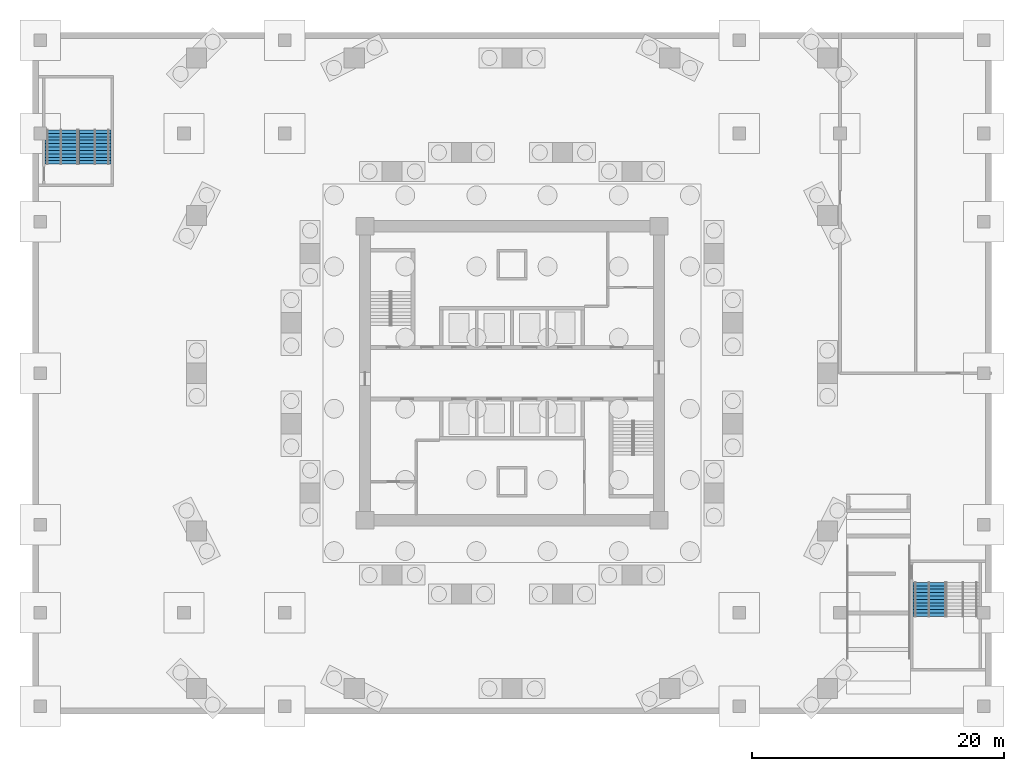
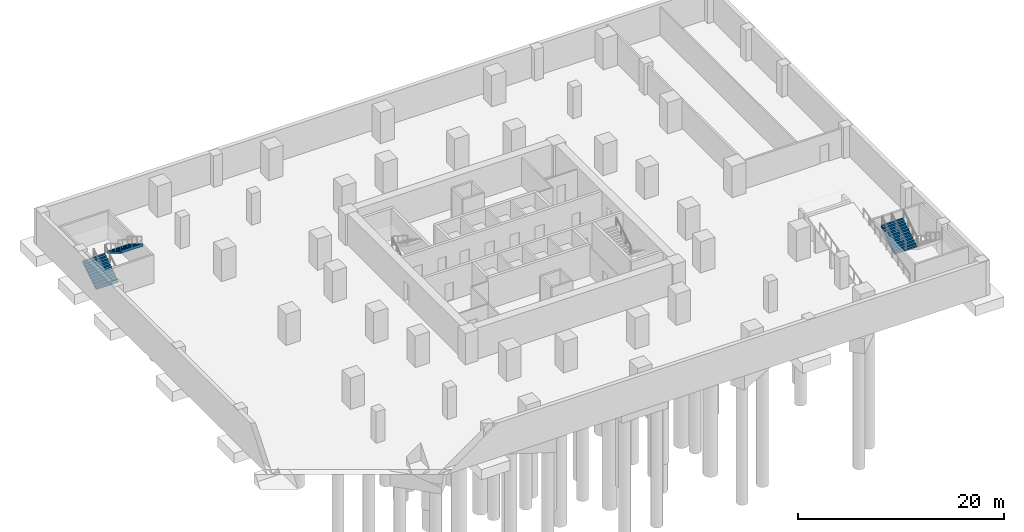
# One storey, part 8 of 11: 3 stair flights, 2 elements without a shape of their own.
"""IFC4 building model written with IfcOpenShell, lengths in metres."""

from ifc_helpers import new_model, si_unit, direction, frame, origin, place, context, subcontext, project, spatial, faceted_brep, material, type_object, element, aggregate, save


model = new_model("IFC4")

# Units and contexts
model_context = context("Model", 3, precision=1e-05, world=origin(), true_north=direction((0.0, 1.0)))
body_context = subcontext(model_context, "Body", "Model", "MODEL_VIEW")
ifc_project = project(units=[si_unit("LENGTHUNIT", "METRE"), si_unit("AREAUNIT", "SQUARE_METRE"), si_unit("VOLUMEUNIT", "CUBIC_METRE"), si_unit("PLANEANGLEUNIT", "RADIAN"), si_unit("MASSUNIT", "GRAM", prefix="KILO")], contexts=[model_context])

# Site, building, storey
site_placement = place(None, origin())
site = spatial("IfcSite", under=ifc_project, at=site_placement, CompositionType="ELEMENT")
building_placement = place(site_placement, origin())
building = spatial("IfcBuilding", under=site, at=building_placement, Name="Torsade Residences", CompositionType="ELEMENT")
storey_placement = place(building_placement, frame((0.0, 0.0, -7.39990234375)))
storey = spatial("IfcBuildingStorey", under=building, at=storey_placement, Name="B2", CompositionType="ELEMENT", Elevation=-7.39990234375)

# Stair, stair flights
ifc_material_1 = material(Name="Concrete 40 MPa", Category="concrete")
stair_type = type_object("IfcStairType", Name="HALF-TURN PODIUM STAIR 2500x3700", PredefinedType="HALF_TURN_STAIR", material=ifc_material_1)
stair_1_placement = place(storey_placement, origin())
stair_1 = element("IfcStair", 1, at=stair_1_placement, inside=storey, type_object=stair_type, Name="Stair ST3 B2", PredefinedType="HALF_TURN_STAIR")
ifc_material_2 = material(Name="Concrete 40 MPa", Category="concrete")
stair_flight_type = type_object("IfcStairFlightType", Name="PODIUM STAIR FLIGHT 2500x1850", PredefinedType="STRAIGHT", material=ifc_material_2)
stair_flight_1_placement = place(storey_placement, frame((4.25, 46.580078125, 0.0), z_axis=(0.0, 0.0, 1.0), x_axis=(0.0, 1.0, 0.0)))
stair_flight_1 = element("IfcStairFlight", 2, at=stair_flight_1_placement, type_object=stair_flight_type, Name="ST3 flight 1", NumberOfRisers=11, NumberOfTreads=10, PredefinedType="STRAIGHT", RiserHeight=0.168181818, TreadLength=0.27, context=body_context, shape_type="Brep", body=[
    faceted_brep([(0.0, 1.25, 0.0), (0.0, 1.25, 0.168212890625), (0.27001953125, 1.25, 0.168212890625), (0.27001953125, 1.25, 0.33642578125), (0.5400390625, 1.25, 0.33642578125), (0.5400390625, 1.25, 0.504638671875), (0.81005859375, 1.25, 0.504638671875), (0.81005859375, 1.25, 0.672607421875), (1.080078125, 1.25, 0.672607421875), (1.080078125, 1.25, 0.8408203125), (1.35009765625, 1.25, 0.8408203125), (1.35009765625, 1.25, 1.009033203125), (1.6201171875, 1.25, 1.009033203125), (1.6201171875, 1.25, 1.17724609375), (1.889892578125, 1.25, 1.17724609375), (1.889892578125, 1.25, 1.345458984375), (2.159912109375, 1.25, 1.345458984375), (2.159912109375, 1.25, 1.513671875), (2.429931640625, 1.25, 1.513671875), (2.429931640625, 1.25, 1.681884765625), (2.699951171875, 1.25, 1.681884765625), (2.699951171875, 1.25, 1.85009765625), (2.7099609375, 1.25, 1.85009765625), (2.7099609375, 1.25, 1.505126953125), (2.699951171875, 1.25, 1.505126953125), (0.283447265625, 1.25, 0.0), (0.283447265625, -1.25, 0.0), (2.699951171875, -1.25, 1.505126953125), (2.7099609375, -1.25, 1.505126953125), (2.7099609375, -1.25, 1.85009765625), (2.699951171875, -1.25, 1.85009765625), (2.699951171875, -1.25, 1.681884765625), (2.429931640625, -1.25, 1.681884765625), (2.429931640625, -1.25, 1.513671875), (2.159912109375, -1.25, 1.513671875), (2.159912109375, -1.25, 1.345458984375), (1.889892578125, -1.25, 1.345458984375), (1.889892578125, -1.25, 1.17724609375), (1.6201171875, -1.25, 1.17724609375), (1.6201171875, -1.25, 1.009033203125), (1.35009765625, -1.25, 1.009033203125), (1.35009765625, -1.25, 0.8408203125), (1.080078125, -1.25, 0.8408203125), (1.080078125, -1.25, 0.672607421875), (0.81005859375, -1.25, 0.672607421875), (0.81005859375, -1.25, 0.504638671875), (0.5400390625, -1.25, 0.504638671875), (0.5400390625, -1.25, 0.33642578125), (0.27001953125, -1.25, 0.33642578125), (0.27001953125, -1.25, 0.168212890625), (0.0, -1.25, 0.168212890625), (0.0, -1.25, 0.0), (0.0, 0.75, 0.0), (0.0, 0.75, 0.168212890625), (0.0, 0.25, 0.0), (0.0, 0.25, 0.168212890625), (0.0, -0.25, 0.0), (0.0, -0.25, 0.168212890625), (0.0, -0.75, 0.0), (0.0, -0.75, 0.168212890625), (0.27001953125, 0.75, 0.168212890625), (0.27001953125, 0.25, 0.168212890625), (0.27001953125, -0.25, 0.168212890625), (0.27001953125, -0.75, 0.168212890625), (0.27001953125, 0.75, 0.33642578125), (0.27001953125, 0.25, 0.33642578125), (0.27001953125, -0.25, 0.33642578125), (0.27001953125, -0.75, 0.33642578125), (0.5400390625, 0.75, 0.33642578125), (0.5400390625, 0.25, 0.33642578125), (0.5400390625, -0.25, 0.33642578125), (0.5400390625, -0.75, 0.33642578125), (0.5400390625, 0.75, 0.504638671875), (0.5400390625, 0.25, 0.504638671875), (0.5400390625, -0.25, 0.504638671875), (0.5400390625, -0.75, 0.504638671875), (0.81005859375, 0.75, 0.504638671875), (0.81005859375, 0.25, 0.504638671875), (0.81005859375, -0.25, 0.504638671875), (0.81005859375, -0.75, 0.504638671875), (0.81005859375, 0.75, 0.672607421875), (0.81005859375, 0.25, 0.672607421875), (0.81005859375, -0.25, 0.672607421875), (0.81005859375, -0.75, 0.672607421875), (1.080078125, 0.75, 0.672607421875), (1.080078125, 0.25, 0.672607421875), (1.080078125, -0.25, 0.672607421875), (1.080078125, -0.75, 0.672607421875), (1.080078125, 0.75, 0.8408203125), (1.080078125, 0.25, 0.8408203125), (1.080078125, -0.25, 0.8408203125), (1.080078125, -0.75, 0.8408203125), (1.35009765625, 0.75, 0.8408203125), (1.35009765625, 0.25, 0.8408203125), (1.35009765625, -0.25, 0.8408203125), (1.35009765625, -0.75, 0.8408203125), (1.35009765625, 0.75, 1.009033203125), (1.35009765625, 0.25, 1.009033203125), (1.35009765625, -0.25, 1.009033203125), (1.35009765625, -0.75, 1.009033203125), (1.6201171875, 0.75, 1.009033203125), (1.6201171875, 0.25, 1.009033203125), (1.6201171875, -0.25, 1.009033203125), (1.6201171875, -0.75, 1.009033203125), (1.6201171875, 0.75, 1.17724609375), (1.6201171875, 0.25, 1.17724609375), (1.6201171875, -0.25, 1.17724609375), (1.6201171875, -0.75, 1.17724609375), (1.889892578125, 0.75, 1.17724609375), (1.889892578125, 0.25, 1.17724609375), (1.889892578125, -0.25, 1.17724609375), (1.889892578125, -0.75, 1.17724609375), (1.889892578125, 0.75, 1.345458984375), (1.889892578125, 0.25, 1.345458984375), (1.889892578125, -0.25, 1.345458984375), (1.889892578125, -0.75, 1.345458984375), (2.159912109375, 0.75, 1.345458984375), (2.159912109375, 0.25, 1.345458984375), (2.159912109375, -0.25, 1.345458984375), (2.159912109375, -0.75, 1.345458984375), (2.159912109375, 0.75, 1.513671875), (2.159912109375, 0.25, 1.513671875), (2.159912109375, -0.25, 1.513671875), (2.159912109375, -0.75, 1.513671875), (2.429931640625, 0.75, 1.513671875), (2.429931640625, 0.25, 1.513671875), (2.429931640625, -0.25, 1.513671875), (2.429931640625, -0.75, 1.513671875), (2.429931640625, 0.75, 1.681884765625), (2.429931640625, 0.25, 1.681884765625), (2.429931640625, -0.25, 1.681884765625), (2.429931640625, -0.75, 1.681884765625), (2.699951171875, 0.75, 1.681884765625), (2.699951171875, 0.25, 1.681884765625), (2.699951171875, -0.25, 1.681884765625), (2.699951171875, -0.75, 1.681884765625), (2.699951171875, 0.75, 1.85009765625), (2.699951171875, 0.25, 1.85009765625), (2.699951171875, -0.25, 1.85009765625), (2.699951171875, -0.75, 1.85009765625), (2.7099609375, 0.75, 1.85009765625), (2.7099609375, 0.25, 1.85009765625), (2.7099609375, -0.25, 1.85009765625), (2.7099609375, -0.75, 1.85009765625), (2.7099609375, 0.75, 1.505126953125), (2.7099609375, 0.25, 1.505126953125), (2.7099609375, -0.25, 1.505126953125), (2.7099609375, -0.75, 1.505126953125), (2.699951171875, 0.75, 1.505126953125), (2.699951171875, 0.25, 1.505126953125), (2.699951171875, -0.25, 1.505126953125), (2.699951171875, -0.75, 1.505126953125), (0.283447265625, 0.75, 0.0), (0.283447265625, 0.25, 0.0), (0.283447265625, -0.25, 0.0), (0.283447265625, -0.75, 0.0)], [[[0, 1, 2, 3, 4, 5, 6, 7, 8, 9, 10, 11, 12, 13, 14, 15, 16, 17, 18, 19, 20, 21, 22, 23, 24, 25]], [[26, 27, 28, 29, 30, 31, 32, 33, 34, 35, 36, 37, 38, 39, 40, 41, 42, 43, 44, 45, 46, 47, 48, 49, 50, 51]], [[52, 53, 1, 0]], [[54, 55, 53, 52]], [[56, 57, 55, 54]], [[58, 59, 57, 56]], [[51, 50, 59, 58]], [[53, 60, 2, 1]], [[55, 61, 60, 53]], [[57, 62, 61, 55]], [[59, 63, 62, 57]], [[50, 49, 63, 59]], [[60, 64, 3, 2]], [[61, 65, 64, 60]], [[62, 66, 65, 61]], [[63, 67, 66, 62]], [[49, 48, 67, 63]], [[64, 68, 4, 3]], [[65, 69, 68, 64]], [[66, 70, 69, 65]], [[67, 71, 70, 66]], [[48, 47, 71, 67]], [[68, 72, 5, 4]], [[69, 73, 72, 68]], [[70, 74, 73, 69]], [[71, 75, 74, 70]], [[47, 46, 75, 71]], [[72, 76, 6, 5]], [[73, 77, 76, 72]], [[74, 78, 77, 73]], [[75, 79, 78, 74]], [[46, 45, 79, 75]], [[76, 80, 7, 6]], [[77, 81, 80, 76]], [[78, 82, 81, 77]], [[79, 83, 82, 78]], [[45, 44, 83, 79]], [[80, 84, 8, 7]], [[81, 85, 84, 80]], [[82, 86, 85, 81]], [[83, 87, 86, 82]], [[44, 43, 87, 83]], [[84, 88, 9, 8]], [[85, 89, 88, 84]], [[86, 90, 89, 85]], [[87, 91, 90, 86]], [[43, 42, 91, 87]], [[88, 92, 10, 9]], [[89, 93, 92, 88]], [[90, 94, 93, 89]], [[91, 95, 94, 90]], [[42, 41, 95, 91]], [[92, 96, 11, 10]], [[93, 97, 96, 92]], [[94, 98, 97, 93]], [[95, 99, 98, 94]], [[41, 40, 99, 95]], [[96, 100, 12, 11]], [[97, 101, 100, 96]], [[98, 102, 101, 97]], [[99, 103, 102, 98]], [[40, 39, 103, 99]], [[100, 104, 13, 12]], [[101, 105, 104, 100]], [[102, 106, 105, 101]], [[103, 107, 106, 102]], [[39, 38, 107, 103]], [[104, 108, 14, 13]], [[105, 109, 108, 104]], [[106, 110, 109, 105]], [[107, 111, 110, 106]], [[38, 37, 111, 107]], [[108, 112, 15, 14]], [[109, 113, 112, 108]], [[110, 114, 113, 109]], [[111, 115, 114, 110]], [[37, 36, 115, 111]], [[112, 116, 16, 15]], [[113, 117, 116, 112]], [[114, 118, 117, 113]], [[115, 119, 118, 114]], [[36, 35, 119, 115]], [[116, 120, 17, 16]], [[117, 121, 120, 116]], [[118, 122, 121, 117]], [[119, 123, 122, 118]], [[35, 34, 123, 119]], [[120, 124, 18, 17]], [[121, 125, 124, 120]], [[122, 126, 125, 121]], [[123, 127, 126, 122]], [[34, 33, 127, 123]], [[124, 128, 19, 18]], [[125, 129, 128, 124]], [[126, 130, 129, 125]], [[127, 131, 130, 126]], [[33, 32, 131, 127]], [[128, 132, 20, 19]], [[129, 133, 132, 128]], [[130, 134, 133, 129]], [[131, 135, 134, 130]], [[32, 31, 135, 131]], [[132, 136, 21, 20]], [[133, 137, 136, 132]], [[134, 138, 137, 133]], [[135, 139, 138, 134]], [[31, 30, 139, 135]], [[136, 140, 22, 21]], [[137, 141, 140, 136]], [[138, 142, 141, 137]], [[139, 143, 142, 138]], [[30, 29, 143, 139]], [[140, 144, 23, 22]], [[141, 145, 144, 140]], [[142, 146, 145, 141]], [[143, 147, 146, 142]], [[29, 28, 147, 143]], [[144, 148, 24, 23]], [[145, 149, 148, 144]], [[146, 150, 149, 145]], [[147, 151, 150, 146]], [[28, 27, 151, 147]], [[148, 152, 25, 24]], [[149, 153, 152, 148]], [[150, 154, 153, 149]], [[151, 155, 154, 150]], [[27, 26, 155, 151]], [[152, 52, 0, 25]], [[153, 54, 52, 152]], [[154, 56, 54, 153]], [[155, 58, 56, 154]], [[26, 51, 58, 155]]]),
])
stair_flight_2_placement = place(storey_placement, frame((6.949951171875, 49.280029296875, 1.849853515625), z_axis=(0.0, 0.0, 1.0), x_axis=(0.0, -1.0, 0.0)))
stair_flight_2 = element("IfcStairFlight", 3, at=stair_flight_2_placement, type_object=stair_flight_type, Name="ST3 flight 2", NumberOfRisers=11, NumberOfTreads=10, PredefinedType="STRAIGHT", RiserHeight=0.168181818, TreadLength=0.27, context=body_context, shape_type="Brep", body=[
    faceted_brep([(0.0, 1.25, 0.0), (0.0, 1.25, 0.168212890625), (0.27001953125, 1.25, 0.168212890625), (0.27001953125, 1.25, 0.33642578125), (0.5400390625, 1.25, 0.33642578125), (0.5400390625, 1.25, 0.504638671875), (0.81005859375, 1.25, 0.504638671875), (0.81005859375, 1.25, 0.672607421875), (1.080078125, 1.25, 0.672607421875), (1.080078125, 1.25, 0.8408203125), (1.35009765625, 1.25, 0.8408203125), (1.35009765625, 1.25, 1.009033203125), (1.6201171875, 1.25, 1.009033203125), (1.6201171875, 1.25, 1.17724609375), (1.889892578125, 1.25, 1.17724609375), (1.889892578125, 1.25, 1.345458984375), (2.159912109375, 1.25, 1.345458984375), (2.159912109375, 1.25, 1.513671875), (2.429931640625, 1.25, 1.513671875), (2.429931640625, 1.25, 1.681884765625), (2.699951171875, 1.25, 1.681884765625), (2.699951171875, 1.25, 1.85009765625), (2.7099609375, 1.25, 1.85009765625), (2.7099609375, 1.25, 1.505126953125), (2.699951171875, 1.25, 1.505126953125), (0.283447265625, 1.25, 0.0), (0.283447265625, -1.25, 0.0), (2.699951171875, -1.25, 1.505126953125), (2.7099609375, -1.25, 1.505126953125), (2.7099609375, -1.25, 1.85009765625), (2.699951171875, -1.25, 1.85009765625), (2.699951171875, -1.25, 1.681884765625), (2.429931640625, -1.25, 1.681884765625), (2.429931640625, -1.25, 1.513671875), (2.159912109375, -1.25, 1.513671875), (2.159912109375, -1.25, 1.345458984375), (1.889892578125, -1.25, 1.345458984375), (1.889892578125, -1.25, 1.17724609375), (1.6201171875, -1.25, 1.17724609375), (1.6201171875, -1.25, 1.009033203125), (1.35009765625, -1.25, 1.009033203125), (1.35009765625, -1.25, 0.8408203125), (1.080078125, -1.25, 0.8408203125), (1.080078125, -1.25, 0.672607421875), (0.81005859375, -1.25, 0.672607421875), (0.81005859375, -1.25, 0.504638671875), (0.5400390625, -1.25, 0.504638671875), (0.5400390625, -1.25, 0.33642578125), (0.27001953125, -1.25, 0.33642578125), (0.27001953125, -1.25, 0.168212890625), (0.0, -1.25, 0.168212890625), (0.0, -1.25, 0.0), (0.0, 0.75, 0.0), (0.0, 0.75, 0.168212890625), (0.0, 0.25, 0.0), (0.0, 0.25, 0.168212890625), (0.0, -0.25, 0.0), (0.0, -0.25, 0.168212890625), (0.0, -0.75, 0.0), (0.0, -0.75, 0.168212890625), (0.27001953125, 0.75, 0.168212890625), (0.27001953125, 0.25, 0.168212890625), (0.27001953125, -0.25, 0.168212890625), (0.27001953125, -0.75, 0.168212890625), (0.27001953125, 0.75, 0.33642578125), (0.27001953125, 0.25, 0.33642578125), (0.27001953125, -0.25, 0.33642578125), (0.27001953125, -0.75, 0.33642578125), (0.5400390625, 0.75, 0.33642578125), (0.5400390625, 0.25, 0.33642578125), (0.5400390625, -0.25, 0.33642578125), (0.5400390625, -0.75, 0.33642578125), (0.5400390625, 0.75, 0.504638671875), (0.5400390625, 0.25, 0.504638671875), (0.5400390625, -0.25, 0.504638671875), (0.5400390625, -0.75, 0.504638671875), (0.81005859375, 0.75, 0.504638671875), (0.81005859375, 0.25, 0.504638671875), (0.81005859375, -0.25, 0.504638671875), (0.81005859375, -0.75, 0.504638671875), (0.81005859375, 0.75, 0.672607421875), (0.81005859375, 0.25, 0.672607421875), (0.81005859375, -0.25, 0.672607421875), (0.81005859375, -0.75, 0.672607421875), (1.080078125, 0.75, 0.672607421875), (1.080078125, 0.25, 0.672607421875), (1.080078125, -0.25, 0.672607421875), (1.080078125, -0.75, 0.672607421875), (1.080078125, 0.75, 0.8408203125), (1.080078125, 0.25, 0.8408203125), (1.080078125, -0.25, 0.8408203125), (1.080078125, -0.75, 0.8408203125), (1.35009765625, 0.75, 0.8408203125), (1.35009765625, 0.25, 0.8408203125), (1.35009765625, -0.25, 0.8408203125), (1.35009765625, -0.75, 0.8408203125), (1.35009765625, 0.75, 1.009033203125), (1.35009765625, 0.25, 1.009033203125), (1.35009765625, -0.25, 1.009033203125), (1.35009765625, -0.75, 1.009033203125), (1.6201171875, 0.75, 1.009033203125), (1.6201171875, 0.25, 1.009033203125), (1.6201171875, -0.25, 1.009033203125), (1.6201171875, -0.75, 1.009033203125), (1.6201171875, 0.75, 1.17724609375), (1.6201171875, 0.25, 1.17724609375), (1.6201171875, -0.25, 1.17724609375), (1.6201171875, -0.75, 1.17724609375), (1.889892578125, 0.75, 1.17724609375), (1.889892578125, 0.25, 1.17724609375), (1.889892578125, -0.25, 1.17724609375), (1.889892578125, -0.75, 1.17724609375), (1.889892578125, 0.75, 1.345458984375), (1.889892578125, 0.25, 1.345458984375), (1.889892578125, -0.25, 1.345458984375), (1.889892578125, -0.75, 1.345458984375), (2.159912109375, 0.75, 1.345458984375), (2.159912109375, 0.25, 1.345458984375), (2.159912109375, -0.25, 1.345458984375), (2.159912109375, -0.75, 1.345458984375), (2.159912109375, 0.75, 1.513671875), (2.159912109375, 0.25, 1.513671875), (2.159912109375, -0.25, 1.513671875), (2.159912109375, -0.75, 1.513671875), (2.429931640625, 0.75, 1.513671875), (2.429931640625, 0.25, 1.513671875), (2.429931640625, -0.25, 1.513671875), (2.429931640625, -0.75, 1.513671875), (2.429931640625, 0.75, 1.681884765625), (2.429931640625, 0.25, 1.681884765625), (2.429931640625, -0.25, 1.681884765625), (2.429931640625, -0.75, 1.681884765625), (2.699951171875, 0.75, 1.681884765625), (2.699951171875, 0.25, 1.681884765625), (2.699951171875, -0.25, 1.681884765625), (2.699951171875, -0.75, 1.681884765625), (2.699951171875, 0.75, 1.85009765625), (2.699951171875, 0.25, 1.85009765625), (2.699951171875, -0.25, 1.85009765625), (2.699951171875, -0.75, 1.85009765625), (2.7099609375, 0.75, 1.85009765625), (2.7099609375, 0.25, 1.85009765625), (2.7099609375, -0.25, 1.85009765625), (2.7099609375, -0.75, 1.85009765625), (2.7099609375, 0.75, 1.505126953125), (2.7099609375, 0.25, 1.505126953125), (2.7099609375, -0.25, 1.505126953125), (2.7099609375, -0.75, 1.505126953125), (2.699951171875, 0.75, 1.505126953125), (2.699951171875, 0.25, 1.505126953125), (2.699951171875, -0.25, 1.505126953125), (2.699951171875, -0.75, 1.505126953125), (0.283447265625, 0.75, 0.0), (0.283447265625, 0.25, 0.0), (0.283447265625, -0.25, 0.0), (0.283447265625, -0.75, 0.0)], [[[0, 1, 2, 3, 4, 5, 6, 7, 8, 9, 10, 11, 12, 13, 14, 15, 16, 17, 18, 19, 20, 21, 22, 23, 24, 25]], [[26, 27, 28, 29, 30, 31, 32, 33, 34, 35, 36, 37, 38, 39, 40, 41, 42, 43, 44, 45, 46, 47, 48, 49, 50, 51]], [[52, 53, 1, 0]], [[54, 55, 53, 52]], [[56, 57, 55, 54]], [[58, 59, 57, 56]], [[51, 50, 59, 58]], [[53, 60, 2, 1]], [[55, 61, 60, 53]], [[57, 62, 61, 55]], [[59, 63, 62, 57]], [[50, 49, 63, 59]], [[60, 64, 3, 2]], [[61, 65, 64, 60]], [[62, 66, 65, 61]], [[63, 67, 66, 62]], [[49, 48, 67, 63]], [[64, 68, 4, 3]], [[65, 69, 68, 64]], [[66, 70, 69, 65]], [[67, 71, 70, 66]], [[48, 47, 71, 67]], [[68, 72, 5, 4]], [[69, 73, 72, 68]], [[70, 74, 73, 69]], [[71, 75, 74, 70]], [[47, 46, 75, 71]], [[72, 76, 6, 5]], [[73, 77, 76, 72]], [[74, 78, 77, 73]], [[75, 79, 78, 74]], [[46, 45, 79, 75]], [[76, 80, 7, 6]], [[77, 81, 80, 76]], [[78, 82, 81, 77]], [[79, 83, 82, 78]], [[45, 44, 83, 79]], [[80, 84, 8, 7]], [[81, 85, 84, 80]], [[82, 86, 85, 81]], [[83, 87, 86, 82]], [[44, 43, 87, 83]], [[84, 88, 9, 8]], [[85, 89, 88, 84]], [[86, 90, 89, 85]], [[87, 91, 90, 86]], [[43, 42, 91, 87]], [[88, 92, 10, 9]], [[89, 93, 92, 88]], [[90, 94, 93, 89]], [[91, 95, 94, 90]], [[42, 41, 95, 91]], [[92, 96, 11, 10]], [[93, 97, 96, 92]], [[94, 98, 97, 93]], [[95, 99, 98, 94]], [[41, 40, 99, 95]], [[96, 100, 12, 11]], [[97, 101, 100, 96]], [[98, 102, 101, 97]], [[99, 103, 102, 98]], [[40, 39, 103, 99]], [[100, 104, 13, 12]], [[101, 105, 104, 100]], [[102, 106, 105, 101]], [[103, 107, 106, 102]], [[39, 38, 107, 103]], [[104, 108, 14, 13]], [[105, 109, 108, 104]], [[106, 110, 109, 105]], [[107, 111, 110, 106]], [[38, 37, 111, 107]], [[108, 112, 15, 14]], [[109, 113, 112, 108]], [[110, 114, 113, 109]], [[111, 115, 114, 110]], [[37, 36, 115, 111]], [[112, 116, 16, 15]], [[113, 117, 116, 112]], [[114, 118, 117, 113]], [[115, 119, 118, 114]], [[36, 35, 119, 115]], [[116, 120, 17, 16]], [[117, 121, 120, 116]], [[118, 122, 121, 117]], [[119, 123, 122, 118]], [[35, 34, 123, 119]], [[120, 124, 18, 17]], [[121, 125, 124, 120]], [[122, 126, 125, 121]], [[123, 127, 126, 122]], [[34, 33, 127, 123]], [[124, 128, 19, 18]], [[125, 129, 128, 124]], [[126, 130, 129, 125]], [[127, 131, 130, 126]], [[33, 32, 131, 127]], [[128, 132, 20, 19]], [[129, 133, 132, 128]], [[130, 134, 133, 129]], [[131, 135, 134, 130]], [[32, 31, 135, 131]], [[132, 136, 21, 20]], [[133, 137, 136, 132]], [[134, 138, 137, 133]], [[135, 139, 138, 134]], [[31, 30, 139, 135]], [[136, 140, 22, 21]], [[137, 141, 140, 136]], [[138, 142, 141, 137]], [[139, 143, 142, 138]], [[30, 29, 143, 139]], [[140, 144, 23, 22]], [[141, 145, 144, 140]], [[142, 146, 145, 141]], [[143, 147, 146, 142]], [[29, 28, 147, 143]], [[144, 148, 24, 23]], [[145, 149, 148, 144]], [[146, 150, 149, 145]], [[147, 151, 150, 146]], [[28, 27, 151, 147]], [[148, 152, 25, 24]], [[149, 153, 152, 148]], [[150, 154, 153, 149]], [[151, 155, 154, 150]], [[27, 26, 155, 151]], [[152, 52, 0, 25]], [[153, 54, 52, 152]], [[154, 56, 54, 153]], [[155, 58, 56, 154]], [[26, 51, 58, 155]]]),
])
aggregate(stair_1, [stair_flight_1, stair_flight_2])

# Stair, stair flight
stair_2_placement = place(storey_placement, origin())
stair_2 = element("IfcStair", 4, at=stair_2_placement, inside=storey, type_object=stair_type, Name="Stair ST4 B2", PredefinedType="HALF_TURN_STAIR")
stair_flight_3_placement = place(storey_placement, frame((73.050048828125, 10.719970703125, 1.849853515625), z_axis=(0.0, 0.0, 1.0), x_axis=(0.0, 1.0, 0.0)))
stair_flight_3 = element("IfcStairFlight", 5, at=stair_flight_3_placement, type_object=stair_flight_type, Name="ST4 flight 2", NumberOfRisers=11, NumberOfTreads=10, PredefinedType="STRAIGHT", RiserHeight=0.168181818, TreadLength=0.27, context=body_context, shape_type="Brep", body=[
    faceted_brep([(0.0, 1.25, 0.0), (0.0, 1.25, 0.168212890625), (0.27001953125, 1.25, 0.168212890625), (0.27001953125, 1.25, 0.33642578125), (0.5400390625, 1.25, 0.33642578125), (0.5400390625, 1.25, 0.504638671875), (0.81005859375, 1.25, 0.504638671875), (0.81005859375, 1.25, 0.672607421875), (1.080078125, 1.25, 0.672607421875), (1.080078125, 1.25, 0.8408203125), (1.35009765625, 1.25, 0.8408203125), (1.35009765625, 1.25, 1.009033203125), (1.6201171875, 1.25, 1.009033203125), (1.6201171875, 1.25, 1.17724609375), (1.889892578125, 1.25, 1.17724609375), (1.889892578125, 1.25, 1.345458984375), (2.159912109375, 1.25, 1.345458984375), (2.159912109375, 1.25, 1.513671875), (2.429931640625, 1.25, 1.513671875), (2.429931640625, 1.25, 1.681884765625), (2.699951171875, 1.25, 1.681884765625), (2.699951171875, 1.25, 1.85009765625), (2.7099609375, 1.25, 1.85009765625), (2.7099609375, 1.25, 1.505126953125), (2.699951171875, 1.25, 1.505126953125), (0.283447265625, 1.25, 0.0), (0.283447265625, -1.25, 0.0), (2.699951171875, -1.25, 1.505126953125), (2.7099609375, -1.25, 1.505126953125), (2.7099609375, -1.25, 1.85009765625), (2.699951171875, -1.25, 1.85009765625), (2.699951171875, -1.25, 1.681884765625), (2.429931640625, -1.25, 1.681884765625), (2.429931640625, -1.25, 1.513671875), (2.159912109375, -1.25, 1.513671875), (2.159912109375, -1.25, 1.345458984375), (1.889892578125, -1.25, 1.345458984375), (1.889892578125, -1.25, 1.17724609375), (1.6201171875, -1.25, 1.17724609375), (1.6201171875, -1.25, 1.009033203125), (1.35009765625, -1.25, 1.009033203125), (1.35009765625, -1.25, 0.8408203125), (1.080078125, -1.25, 0.8408203125), (1.080078125, -1.25, 0.672607421875), (0.81005859375, -1.25, 0.672607421875), (0.81005859375, -1.25, 0.504638671875), (0.5400390625, -1.25, 0.504638671875), (0.5400390625, -1.25, 0.33642578125), (0.27001953125, -1.25, 0.33642578125), (0.27001953125, -1.25, 0.168212890625), (0.0, -1.25, 0.168212890625), (0.0, -1.25, 0.0), (0.0, 0.75, 0.0), (0.0, 0.75, 0.168212890625), (0.0, 0.25, 0.0), (0.0, 0.25, 0.168212890625), (0.0, -0.25, 0.0), (0.0, -0.25, 0.168212890625), (0.0, -0.75, 0.0), (0.0, -0.75, 0.168212890625), (0.27001953125, 0.75, 0.168212890625), (0.27001953125, 0.25, 0.168212890625), (0.27001953125, -0.25, 0.168212890625), (0.27001953125, -0.75, 0.168212890625), (0.27001953125, 0.75, 0.33642578125), (0.27001953125, 0.25, 0.33642578125), (0.27001953125, -0.25, 0.33642578125), (0.27001953125, -0.75, 0.33642578125), (0.5400390625, 0.75, 0.33642578125), (0.5400390625, 0.25, 0.33642578125), (0.5400390625, -0.25, 0.33642578125), (0.5400390625, -0.75, 0.33642578125), (0.5400390625, 0.75, 0.504638671875), (0.5400390625, 0.25, 0.504638671875), (0.5400390625, -0.25, 0.504638671875), (0.5400390625, -0.75, 0.504638671875), (0.81005859375, 0.75, 0.504638671875), (0.81005859375, 0.25, 0.504638671875), (0.81005859375, -0.25, 0.504638671875), (0.81005859375, -0.75, 0.504638671875), (0.81005859375, 0.75, 0.672607421875), (0.81005859375, 0.25, 0.672607421875), (0.81005859375, -0.25, 0.672607421875), (0.81005859375, -0.75, 0.672607421875), (1.080078125, 0.75, 0.672607421875), (1.080078125, 0.25, 0.672607421875), (1.080078125, -0.25, 0.672607421875), (1.080078125, -0.75, 0.672607421875), (1.080078125, 0.75, 0.8408203125), (1.080078125, 0.25, 0.8408203125), (1.080078125, -0.25, 0.8408203125), (1.080078125, -0.75, 0.8408203125), (1.35009765625, 0.75, 0.8408203125), (1.35009765625, 0.25, 0.8408203125), (1.35009765625, -0.25, 0.8408203125), (1.35009765625, -0.75, 0.8408203125), (1.35009765625, 0.75, 1.009033203125), (1.35009765625, 0.25, 1.009033203125), (1.35009765625, -0.25, 1.009033203125), (1.35009765625, -0.75, 1.009033203125), (1.6201171875, 0.75, 1.009033203125), (1.6201171875, 0.25, 1.009033203125), (1.6201171875, -0.25, 1.009033203125), (1.6201171875, -0.75, 1.009033203125), (1.6201171875, 0.75, 1.17724609375), (1.6201171875, 0.25, 1.17724609375), (1.6201171875, -0.25, 1.17724609375), (1.6201171875, -0.75, 1.17724609375), (1.889892578125, 0.75, 1.17724609375), (1.889892578125, 0.25, 1.17724609375), (1.889892578125, -0.25, 1.17724609375), (1.889892578125, -0.75, 1.17724609375), (1.889892578125, 0.75, 1.345458984375), (1.889892578125, 0.25, 1.345458984375), (1.889892578125, -0.25, 1.345458984375), (1.889892578125, -0.75, 1.345458984375), (2.159912109375, 0.75, 1.345458984375), (2.159912109375, 0.25, 1.345458984375), (2.159912109375, -0.25, 1.345458984375), (2.159912109375, -0.75, 1.345458984375), (2.159912109375, 0.75, 1.513671875), (2.159912109375, 0.25, 1.513671875), (2.159912109375, -0.25, 1.513671875), (2.159912109375, -0.75, 1.513671875), (2.429931640625, 0.75, 1.513671875), (2.429931640625, 0.25, 1.513671875), (2.429931640625, -0.25, 1.513671875), (2.429931640625, -0.75, 1.513671875), (2.429931640625, 0.75, 1.681884765625), (2.429931640625, 0.25, 1.681884765625), (2.429931640625, -0.25, 1.681884765625), (2.429931640625, -0.75, 1.681884765625), (2.699951171875, 0.75, 1.681884765625), (2.699951171875, 0.25, 1.681884765625), (2.699951171875, -0.25, 1.681884765625), (2.699951171875, -0.75, 1.681884765625), (2.699951171875, 0.75, 1.85009765625), (2.699951171875, 0.25, 1.85009765625), (2.699951171875, -0.25, 1.85009765625), (2.699951171875, -0.75, 1.85009765625), (2.7099609375, 0.75, 1.85009765625), (2.7099609375, 0.25, 1.85009765625), (2.7099609375, -0.25, 1.85009765625), (2.7099609375, -0.75, 1.85009765625), (2.7099609375, 0.75, 1.505126953125), (2.7099609375, 0.25, 1.505126953125), (2.7099609375, -0.25, 1.505126953125), (2.7099609375, -0.75, 1.505126953125), (2.699951171875, 0.75, 1.505126953125), (2.699951171875, 0.25, 1.505126953125), (2.699951171875, -0.25, 1.505126953125), (2.699951171875, -0.75, 1.505126953125), (0.283447265625, 0.75, 0.0), (0.283447265625, 0.25, 0.0), (0.283447265625, -0.25, 0.0), (0.283447265625, -0.75, 0.0)], [[[0, 1, 2, 3, 4, 5, 6, 7, 8, 9, 10, 11, 12, 13, 14, 15, 16, 17, 18, 19, 20, 21, 22, 23, 24, 25]], [[26, 27, 28, 29, 30, 31, 32, 33, 34, 35, 36, 37, 38, 39, 40, 41, 42, 43, 44, 45, 46, 47, 48, 49, 50, 51]], [[52, 53, 1, 0]], [[54, 55, 53, 52]], [[56, 57, 55, 54]], [[58, 59, 57, 56]], [[51, 50, 59, 58]], [[53, 60, 2, 1]], [[55, 61, 60, 53]], [[57, 62, 61, 55]], [[59, 63, 62, 57]], [[50, 49, 63, 59]], [[60, 64, 3, 2]], [[61, 65, 64, 60]], [[62, 66, 65, 61]], [[63, 67, 66, 62]], [[49, 48, 67, 63]], [[64, 68, 4, 3]], [[65, 69, 68, 64]], [[66, 70, 69, 65]], [[67, 71, 70, 66]], [[48, 47, 71, 67]], [[68, 72, 5, 4]], [[69, 73, 72, 68]], [[70, 74, 73, 69]], [[71, 75, 74, 70]], [[47, 46, 75, 71]], [[72, 76, 6, 5]], [[73, 77, 76, 72]], [[74, 78, 77, 73]], [[75, 79, 78, 74]], [[46, 45, 79, 75]], [[76, 80, 7, 6]], [[77, 81, 80, 76]], [[78, 82, 81, 77]], [[79, 83, 82, 78]], [[45, 44, 83, 79]], [[80, 84, 8, 7]], [[81, 85, 84, 80]], [[82, 86, 85, 81]], [[83, 87, 86, 82]], [[44, 43, 87, 83]], [[84, 88, 9, 8]], [[85, 89, 88, 84]], [[86, 90, 89, 85]], [[87, 91, 90, 86]], [[43, 42, 91, 87]], [[88, 92, 10, 9]], [[89, 93, 92, 88]], [[90, 94, 93, 89]], [[91, 95, 94, 90]], [[42, 41, 95, 91]], [[92, 96, 11, 10]], [[93, 97, 96, 92]], [[94, 98, 97, 93]], [[95, 99, 98, 94]], [[41, 40, 99, 95]], [[96, 100, 12, 11]], [[97, 101, 100, 96]], [[98, 102, 101, 97]], [[99, 103, 102, 98]], [[40, 39, 103, 99]], [[100, 104, 13, 12]], [[101, 105, 104, 100]], [[102, 106, 105, 101]], [[103, 107, 106, 102]], [[39, 38, 107, 103]], [[104, 108, 14, 13]], [[105, 109, 108, 104]], [[106, 110, 109, 105]], [[107, 111, 110, 106]], [[38, 37, 111, 107]], [[108, 112, 15, 14]], [[109, 113, 112, 108]], [[110, 114, 113, 109]], [[111, 115, 114, 110]], [[37, 36, 115, 111]], [[112, 116, 16, 15]], [[113, 117, 116, 112]], [[114, 118, 117, 113]], [[115, 119, 118, 114]], [[36, 35, 119, 115]], [[116, 120, 17, 16]], [[117, 121, 120, 116]], [[118, 122, 121, 117]], [[119, 123, 122, 118]], [[35, 34, 123, 119]], [[120, 124, 18, 17]], [[121, 125, 124, 120]], [[122, 126, 125, 121]], [[123, 127, 126, 122]], [[34, 33, 127, 123]], [[124, 128, 19, 18]], [[125, 129, 128, 124]], [[126, 130, 129, 125]], [[127, 131, 130, 126]], [[33, 32, 131, 127]], [[128, 132, 20, 19]], [[129, 133, 132, 128]], [[130, 134, 133, 129]], [[131, 135, 134, 130]], [[32, 31, 135, 131]], [[132, 136, 21, 20]], [[133, 137, 136, 132]], [[134, 138, 137, 133]], [[135, 139, 138, 134]], [[31, 30, 139, 135]], [[136, 140, 22, 21]], [[137, 141, 140, 136]], [[138, 142, 141, 137]], [[139, 143, 142, 138]], [[30, 29, 143, 139]], [[140, 144, 23, 22]], [[141, 145, 144, 140]], [[142, 146, 145, 141]], [[143, 147, 146, 142]], [[29, 28, 147, 143]], [[144, 148, 24, 23]], [[145, 149, 148, 144]], [[146, 150, 149, 145]], [[147, 151, 150, 146]], [[28, 27, 151, 147]], [[148, 152, 25, 24]], [[149, 153, 152, 148]], [[150, 154, 153, 149]], [[151, 155, 154, 150]], [[27, 26, 155, 151]], [[152, 52, 0, 25]], [[153, 54, 52, 152]], [[154, 56, 54, 153]], [[155, 58, 56, 154]], [[26, 51, 58, 155]]]),
])
aggregate(stair_2, [stair_flight_3])

save(model, "model.ifc")
